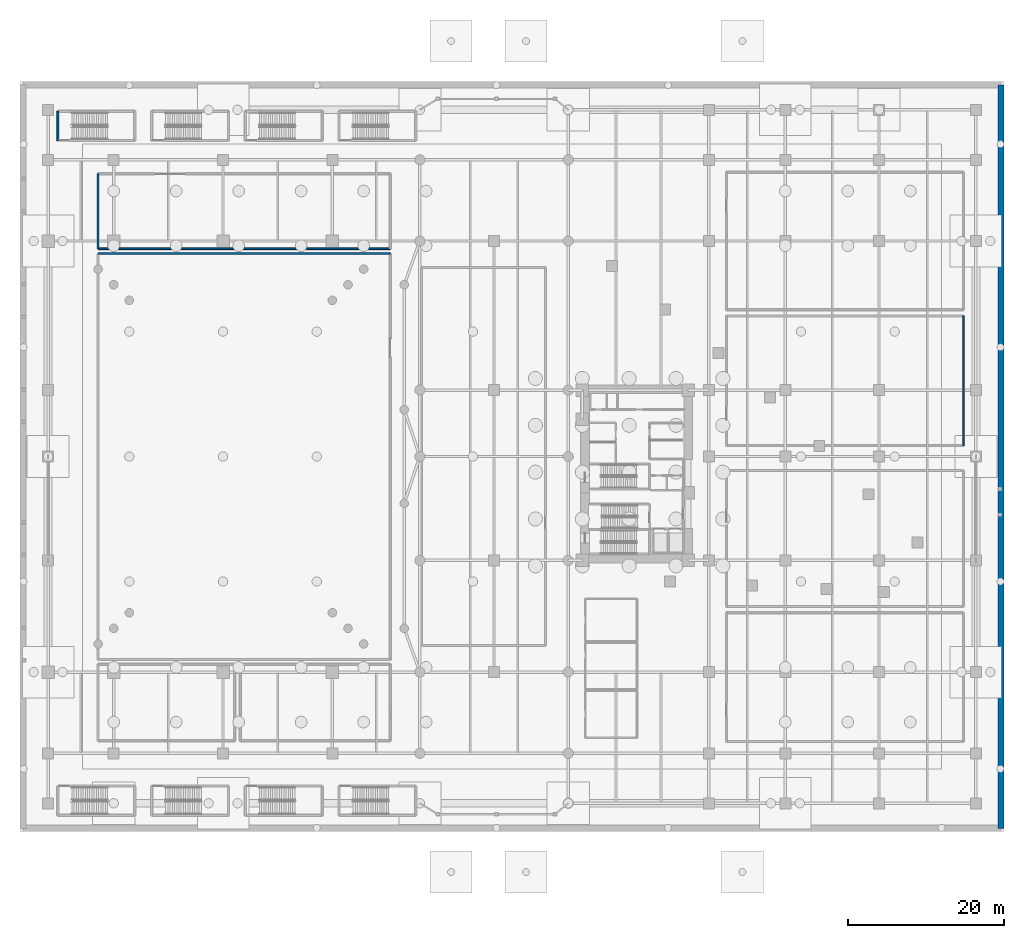
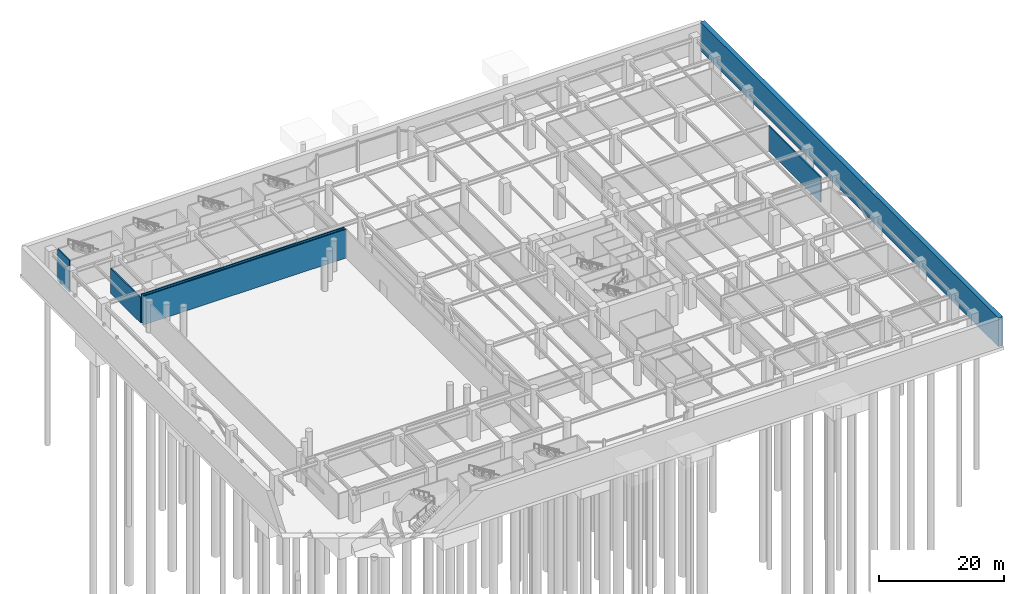
# One storey, part 22 of 37: 6 walls.
"""IFC4 building model written with IfcOpenShell, lengths in metres."""

from ifc_helpers import new_model, si_unit, direction, frame, frame_2d, origin, place, context, subcontext, project, spatial, rectangle, extrude, material, layer, layer_set, type_object, element, save


model = new_model("IFC4")

# Units and contexts
model_context = context("Model", 3, precision=1e-05, world=origin(), true_north=direction((0.0, 1.0)))
body_context = subcontext(model_context, "Body", "Model", "MODEL_VIEW")
ifc_project = project(units=[si_unit("LENGTHUNIT", "METRE"), si_unit("AREAUNIT", "SQUARE_METRE"), si_unit("VOLUMEUNIT", "CUBIC_METRE"), si_unit("PLANEANGLEUNIT", "RADIAN"), si_unit("MASSUNIT", "GRAM", prefix="KILO")], contexts=[model_context])

# Site, building, storey
site_placement = place(None, origin())
site = spatial("IfcSite", under=ifc_project, at=site_placement, CompositionType="ELEMENT")
building_placement = place(site_placement, origin())
building = spatial("IfcBuilding", under=site, at=building_placement, Name="Narakoshi Arena Tower", CompositionType="ELEMENT")
storey_placement = place(building_placement, frame((0.0, 0.0, -6.0)))
storey = spatial("IfcBuildingStorey", under=building, at=storey_placement, Name="B01", CompositionType="ELEMENT", Elevation=-6.0)

# Walls
ifc_material_1 = material(Name="Concrete C40/50", Category="concrete")
ifc_layer_1 = layer(ifc_material_1, 0.219970703125)
ifc_layer_set_1 = layer_set([ifc_layer_1], Name="Concrete C40/50")
wall_type_1 = type_object("IfcWallType", Name="WL-COMP-220", PredefinedType="SOLIDWALL", material=ifc_layer_set_1)
for number, where, z_axis, x_axis, name in (
    (1, (47.39990234375, 74.0, 0.0), (0.0, 0.0, 1.0), (-1.0, 0.0, 0.0), "B01 Arena Competition Event Floor Wall N"),
    (2, (10.0, 74.60009765625, 0.0), (0.0, 0.0, 1.0), (1.0, 0.0, 0.0), "B01 Event Loading Support and Rigging Store Wall S"),
):
    element("IfcWall", number, at=place(storey_placement, frame(where, z_axis=z_axis, x_axis=x_axis)), inside=storey, type_object=wall_type_1, Name=name, PredefinedType="SOLIDWALL", context=body_context, shape_type="SweptSolid", body=[
        extrude(rectangle(XDim=37.39990234375, YDim=0.219970703125, at=frame_2d((18.699951171875, 0.0))), origin(), (0.0, 0.0, 1.0), 5.60009765625),
    ])
wall_1_placement = place(storey_placement, frame((10.0, 84.199951171875, 0.0), z_axis=(0.0, 0.0, 1.0), x_axis=(0.0, -1.0, 0.0)))
element("IfcWall", 3, at=wall_1_placement, inside=storey, type_object=wall_type_1, Name="B01 Event Loading Support and Rigging Store Wall W", PredefinedType="SOLIDWALL", context=body_context, shape_type="SweptSolid", body=[
    extrude(rectangle(XDim=9.599853515625, YDim=0.219970703125, at=frame_2d((4.7998046875, 0.0))), origin(), (0.0, 0.0, 1.0), 4.885009765625),
])
wall_2_placement = place(storey_placement, frame((120.800048828125, 49.39990234375, 0.0), z_axis=(0.0, 0.0, 1.0), x_axis=(0.0, 1.0, 0.0)))
element("IfcWall", 4, at=wall_2_placement, inside=storey, type_object=wall_type_1, Name="B01 HV Transformer and Switchgear Room Wall E", PredefinedType="SOLIDWALL", context=body_context, shape_type="SweptSolid", body=[
    extrude(rectangle(XDim=16.60009765625, YDim=0.219970703125, at=frame_2d((8.300048828125, 0.0))), origin(), (0.0, 0.0, 1.0), 4.885009765625),
])
ifc_material_2 = material(Name="Concrete C45/55", Category="concrete")
ifc_layer_2 = layer(ifc_material_2, 0.800048828125)
ifc_layer_set_2 = layer_set([ifc_layer_2], Name="Concrete C45/55")
wall_type_2 = type_object("IfcWallType", Name="WL-RET-800", PredefinedType="USERDEFINED", material=ifc_layer_set_2)
wall_3_placement = place(storey_placement, frame((125.60009765625, 0.39990234375, 0.0), z_axis=(0.0, 0.0, 1.0), x_axis=(0.0, 1.0, 0.0)))
element("IfcWall", 5, at=wall_3_placement, inside=storey, type_object=wall_type_2, Name="B01 Diaphragm Retaining Wall E", ObjectType="RETAININGWALL", PredefinedType="USERDEFINED", context=body_context, shape_type="SweptSolid", body=[
    extrude(rectangle(XDim=95.2001953125, YDim=0.800048828125, at=frame_2d((47.60009765625, 0.0))), origin(), (0.0, 0.0, 1.0), 5.60009765625),
])
ifc_material_3 = material(Name="Concrete C50/60", Category="concrete")
ifc_layer_3 = layer(ifc_material_3, 0.35009765625)
ifc_layer_set_3 = layer_set([ifc_layer_3], Name="Concrete C50/60")
wall_type_3 = type_object("IfcWallType", Name="WL-SHAFT-350", PredefinedType="SOLIDWALL", material=ifc_layer_set_3)
wall_4_placement = place(storey_placement, frame((4.85009765625, 88.449951171875, -0.60009765625), z_axis=(0.0, 0.0, 1.0), x_axis=(0.0, 1.0, 0.0)))
element("IfcWall", 6, at=wall_4_placement, inside=storey, type_object=wall_type_3, Name="B01 AST5 Enclosure Wall W", PredefinedType="SOLIDWALL", context=body_context, shape_type="SweptSolid", body=[
    extrude(rectangle(XDim=3.75, YDim=0.25, at=frame_2d((1.875, 0.0))), origin(), (0.0, 0.0, 1.0), 6.2001953125),
])

save(model, "model.ifc")
